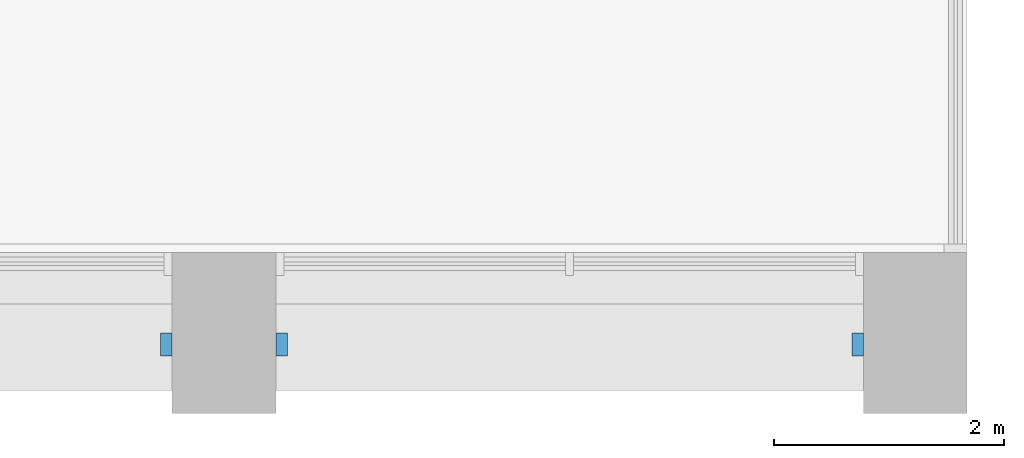
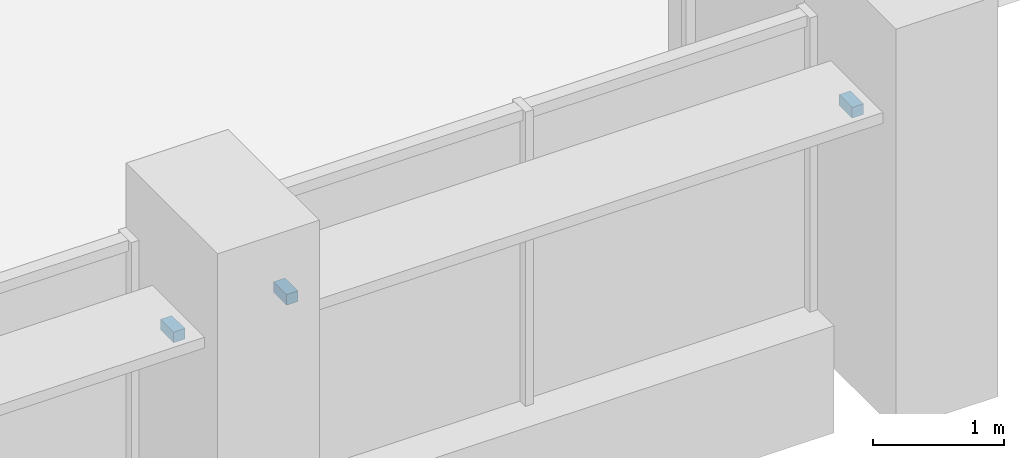
# One storey, part 14 of 15: 3 discrete accessories.
"""IFC4 building model written with IfcOpenShell, lengths in metres."""

from ifc_helpers import new_model, si_unit, direction, frame, origin, origin_2d, place, context, subcontext, project, spatial, rectangle, extrude, element, save


model = new_model("IFC4")

# Units and contexts
model_context = context("Model", 3, precision=1e-05, world=origin(), true_north=direction((0.0, 1.0)))
body_context = subcontext(model_context, "Body", "Model", "MODEL_VIEW")
ifc_project = project(units=[si_unit("LENGTHUNIT", "METRE"), si_unit("AREAUNIT", "SQUARE_METRE"), si_unit("VOLUMEUNIT", "CUBIC_METRE"), si_unit("PLANEANGLEUNIT", "RADIAN"), si_unit("MASSUNIT", "GRAM", prefix="KILO")], contexts=[model_context])

# Site, building, storey
site_placement = place(None, origin())
site = spatial("IfcSite", under=ifc_project, at=site_placement, CompositionType="ELEMENT")
building_placement = place(site_placement, origin())
building = spatial("IfcBuilding", under=site, at=building_placement, Name="Calvaro Tower", CompositionType="ELEMENT")
storey_placement = place(building_placement, frame((0.0, 0.0, 143.75)))
storey = spatial("IfcBuildingStorey", under=building, at=storey_placement, Name="L36", CompositionType="ELEMENT", Elevation=143.75)

# Discrete accessories
for number, where, z_axis, x_axis, name in (
    (1, (59.5, 2.10009765625, 2.25), (0.0, 0.0, 1.0), (1.0, 0.0, 0.0), "Brise-soleil bracket"),
    (2, (60.5, 2.10009765625, 2.25), (0.0, 0.0, 1.0), (1.0, 0.0, 0.0), "Brise-soleil bracket"),
    (3, (65.5, 2.10009765625, 2.25), (0.0, 0.0, 1.0), (1.0, 0.0, 0.0), "Brise-soleil bracket"),
):
    element("IfcDiscreteAccessory", number, at=place(storey_placement, frame(where, z_axis=z_axis, x_axis=x_axis)), inside=storey, Name=name, PredefinedType="BRACKET", context=body_context, shape_type="SweptSolid", body=[
        extrude(rectangle(XDim=0.10009765625, YDim=0.199951171875, at=origin_2d()), origin(), (0.0, 0.0, 1.0), 0.10009765625),
    ])

save(model, "model.ifc")
